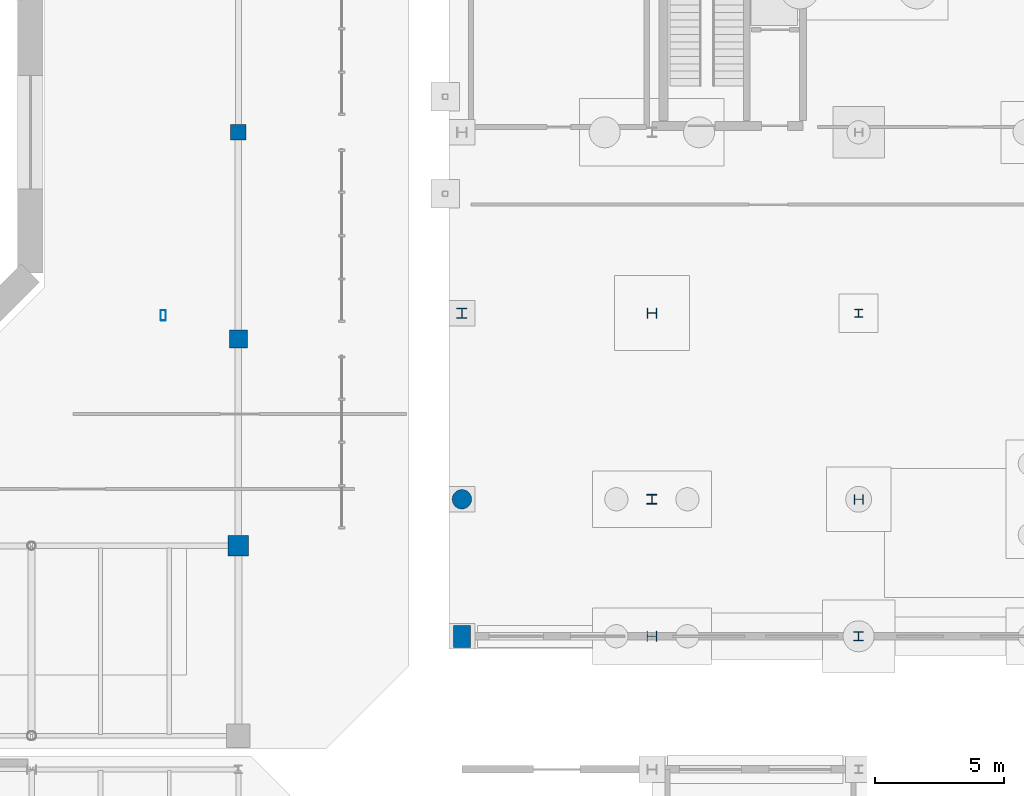
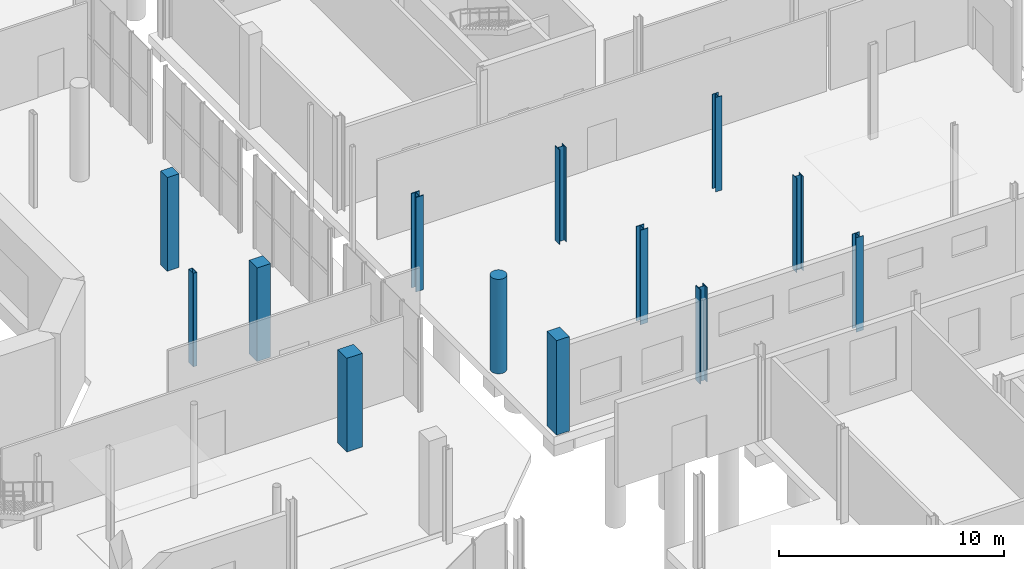
# One storey, part 16 of 87: 13 columns.
"""IFC4 building model written with IfcOpenShell, lengths in metres."""

from ifc_helpers import new_model, si_unit, direction, frame, origin, origin_2d, place, context, subcontext, project, spatial, rectangle, hollow_rectangle, circle, i_section, extrude, material, material_profile, profile_set, type_object, element, save


model = new_model("IFC4")

# Units and contexts
model_context = context("Model", 3, precision=1e-05, world=origin(), true_north=direction((0.0, 1.0)))
body_context = subcontext(model_context, "Body", "Model", "MODEL_VIEW")
ifc_project = project(units=[si_unit("LENGTHUNIT", "METRE"), si_unit("AREAUNIT", "SQUARE_METRE"), si_unit("VOLUMEUNIT", "CUBIC_METRE"), si_unit("PLANEANGLEUNIT", "RADIAN"), si_unit("MASSUNIT", "GRAM", prefix="KILO")], contexts=[model_context])

# Site, building, storey
site_placement = place(None, origin())
site = spatial("IfcSite", under=ifc_project, at=site_placement, CompositionType="ELEMENT")
building_placement = place(site_placement, origin())
building = spatial("IfcBuilding", under=site, at=building_placement, Name="Brisemont Oceanarium", CompositionType="ELEMENT")
storey_placement = place(building_placement, origin())
storey = spatial("IfcBuildingStorey", under=building, at=storey_placement, Name="L00", CompositionType="ELEMENT", Elevation=0.0)

# Columns
ifc_material_1 = material(Name="Structural Steel ASTM A500 Gr.C", Category="steel")
ifc_material_profile_1 = material_profile(ifc_material_1, hollow_rectangle(XDim=0.202880859375, YDim=0.406005859375, WallThickness=0.01171875, InnerFilletRadius=0.01220703125, OuterFilletRadius=0.02392578125, at=origin_2d()), Name="HSS16X8X1/2")
ifc_profile_set_1 = profile_set([ifc_material_profile_1], Name="Structural Steel ASTM A500 Gr.C")
column_type_1 = type_object("IfcColumnType", Name="COL-HSS16X8", PredefinedType="COLUMN", material=ifc_profile_set_1)
column_1_placement = place(storey_placement, frame((101.091796875, 48.92041015625, 0.0), z_axis=(0.0, 0.0, 1.0), x_axis=(1.0, 0.0, 0.0)))
element("IfcColumn", 1, at=column_1_placement, inside=storey, type_object=column_type_1, Name="V1 dome drum pier L00.8", PredefinedType="COLUMN", context=body_context, shape_type="SweptSolid", body=[
    extrude(hollow_rectangle(XDim=0.202880859375, YDim=0.406005859375, WallThickness=0.01171875, InnerFilletRadius=0.01220703125, OuterFilletRadius=0.02392578125, at=origin_2d()), origin(), (0.0, 0.0, 1.0), 5.06005859375),
])
ifc_material_2 = material(Name="Concrete C35/45", Category="concrete")
ifc_material_profile_2 = material_profile(ifc_material_2, rectangle(XDim=0.60009765625, YDim=0.60009765625, at=origin_2d()), Name="RC-COL-600X600")
ifc_profile_set_2 = profile_set([ifc_material_profile_2], Name="Concrete C35/45")
column_type_2 = type_object("IfcColumnType", Name="COL-RC600", PredefinedType="COLUMN", material=ifc_profile_set_2)
column_2_placement = place(storey_placement, frame((104.0, 56.0, 0.0), z_axis=(0.0, 0.0, 1.0), x_axis=(0.0, 1.0, 0.0)))
element("IfcColumn", 2, at=column_2_placement, inside=storey, type_object=column_type_2, Name="V1 L00 column (6,3)", PredefinedType="COLUMN", context=body_context, shape_type="SweptSolid", body=[
    extrude(rectangle(XDim=0.60009765625, YDim=0.60009765625, at=origin_2d()), origin(), (0.0, 0.0, 1.0), 5.080078125),
])
ifc_material_3 = material(Name="Concrete C35/45", Category="concrete")
ifc_material_profile_3 = material_profile(ifc_material_3, rectangle(XDim=0.699951171875, YDim=0.699951171875, at=origin_2d()), Name="RC-COL-700X700")
ifc_profile_set_3 = profile_set([ifc_material_profile_3], Name="Concrete C35/45")
column_type_3 = type_object("IfcColumnType", Name="COL-RC700", PredefinedType="COLUMN", material=ifc_profile_set_3)
column_3_placement = place(storey_placement, frame((104.0, 48.0, 0.0), z_axis=(0.0, 0.0, 1.0), x_axis=(1.0, 0.0, 0.0)))
element("IfcColumn", 3, at=column_3_placement, inside=storey, type_object=column_type_3, Name="V1 L00 column (6,2)", PredefinedType="COLUMN", context=body_context, shape_type="SweptSolid", body=[
    extrude(rectangle(XDim=0.699951171875, YDim=0.699951171875, at=origin_2d()), origin(), (0.0, 0.0, 1.0), 5.080078125),
])
ifc_material_4 = material(Name="Concrete C40/50", Category="concrete")
ifc_material_profile_4 = material_profile(ifc_material_4, rectangle(XDim=0.800048828125, YDim=0.800048828125, at=origin_2d()), Name="RC-COL-800X800")
ifc_profile_set_4 = profile_set([ifc_material_profile_4], Name="Concrete C40/50")
column_type_4 = type_object("IfcColumnType", Name="COL-RC800", PredefinedType="COLUMN", material=ifc_profile_set_4)
column_4_placement = place(storey_placement, frame((104.0, 40.0, 0.0), z_axis=(0.0, 0.0, 1.0), x_axis=(0.0, 1.0, 0.0)))
element("IfcColumn", 4, at=column_4_placement, inside=storey, type_object=column_type_4, Name="V1 L00 column (6,1)", PredefinedType="COLUMN", context=body_context, shape_type="SweptSolid", body=[
    extrude(rectangle(XDim=0.800048828125, YDim=0.800048828125, at=origin_2d()), origin(), (0.0, 0.0, 1.0), 5.080078125),
])
ifc_material_5 = material(Name="Concrete C40/50", Category="concrete")
ifc_material_profile_5 = material_profile(ifc_material_5, circle(Radius=0.375, at=origin_2d()), Name="RC-COL-D750")
ifc_profile_set_5 = profile_set([ifc_material_profile_5], Name="Concrete C40/50")
column_type_5 = type_object("IfcColumnType", Name="COL-RCD750", PredefinedType="COLUMN", material=ifc_profile_set_5)
column_5_placement = place(storey_placement, frame((112.64990234375, 41.800048828125, 0.0), z_axis=(0.0, 0.0, 1.0), x_axis=(0.0, 1.0, 0.0)))
element("IfcColumn", 5, at=column_5_placement, inside=storey, type_object=column_type_5, Name="V5E L00 column (0,1)", PredefinedType="COLUMN", context=body_context, shape_type="SweptSolid", body=[
    extrude(circle(Radius=0.375, at=origin_2d()), origin(), (0.0, 0.0, 1.0), 5.1201171875),
])
ifc_material_6 = material(Name="Structural Steel ASTM A992 Gr.50", Category="steel")
ifc_material_profile_6 = material_profile(ifc_material_6, i_section(OverallWidth=0.30810546875, OverallDepth=0.318115234375, WebThickness=0.01318359375, FlangeThickness=0.0205078125, FilletRadius=0.012939453125, at=origin_2d()), Name="W12X87")
ifc_profile_set_6 = profile_set([ifc_material_profile_6], Name="Structural Steel ASTM A992 Gr.50")
column_type_6 = type_object("IfcColumnType", Name="COL-W12X87", PredefinedType="COLUMN", material=ifc_profile_set_6)
column_6_placement = place(storey_placement, frame((128.0, 49.0, 0.0), z_axis=(0.0, 0.0, 1.0), x_axis=(1.0, 0.0, 0.0)))
element("IfcColumn", 6, at=column_6_placement, inside=storey, type_object=column_type_6, Name="V5E L00 column (2,2)", PredefinedType="COLUMN", context=body_context, shape_type="SweptSolid", body=[
    extrude(i_section(OverallWidth=0.30810546875, OverallDepth=0.318115234375, WebThickness=0.01318359375, FlangeThickness=0.0205078125, FilletRadius=0.012939453125, at=origin_2d()), origin(), (0.0, 0.0, 1.0), 5.1201171875),
])
ifc_material_7 = material(Name="Structural Steel ASTM A992 Gr.50", Category="steel")
ifc_material_profile_7 = material_profile(ifc_material_7, i_section(OverallWidth=0.39404296875, OverallDepth=0.3759765625, WebThickness=0.017333984375, FlangeThickness=0.027587890625, FilletRadius=0.014892578125, at=origin_2d()), Name="W14X145")
ifc_profile_set_7 = profile_set([ifc_material_profile_7], Name="Structural Steel ASTM A992 Gr.50")
column_type_7 = type_object("IfcColumnType", Name="COL-W14X145", PredefinedType="COLUMN", material=ifc_profile_set_7)
column_7_placement = place(storey_placement, frame((120.0, 49.0, 0.0), z_axis=(0.0, 0.0, 1.0), x_axis=(0.0, 1.0, 0.0)))
element("IfcColumn", 7, at=column_7_placement, inside=storey, type_object=column_type_7, Name="V5E L00 column (1,2)", PredefinedType="COLUMN", context=body_context, shape_type="SweptSolid", body=[
    extrude(i_section(OverallWidth=0.39404296875, OverallDepth=0.3759765625, WebThickness=0.017333984375, FlangeThickness=0.027587890625, FilletRadius=0.014892578125, at=origin_2d()), origin(), (0.0, 0.0, 1.0), 5.1201171875),
])
ifc_material_8 = material(Name="Structural Steel ASTM A992 Gr.50", Category="steel")
ifc_material_profile_8 = material_profile(ifc_material_8, i_section(OverallWidth=0.39501953125, OverallDepth=0.3798828125, WebThickness=0.018798828125, FlangeThickness=0.0302734375, FilletRadius=0.014892578125, at=origin_2d()), Name="W14X159")
ifc_profile_set_8 = profile_set([ifc_material_profile_8], Name="Structural Steel ASTM A992 Gr.50")
column_type_8 = type_object("IfcColumnType", Name="COL-W14X159", PredefinedType="COLUMN", material=ifc_profile_set_8)
column_8_placement = place(storey_placement, frame((120.0, 41.800048828125, 0.0), z_axis=(0.0, 0.0, 1.0), x_axis=(1.0, 0.0, 0.0)))
element("IfcColumn", 8, at=column_8_placement, inside=storey, type_object=column_type_8, Name="V5E L00 column (1,1)", PredefinedType="COLUMN", context=body_context, shape_type="SweptSolid", body=[
    extrude(i_section(OverallWidth=0.39501953125, OverallDepth=0.3798828125, WebThickness=0.018798828125, FlangeThickness=0.0302734375, FilletRadius=0.014892578125, at=origin_2d()), origin(), (0.0, 0.0, 1.0), 5.1201171875),
])
ifc_material_9 = material(Name="Structural Steel ASTM A992 Gr.50", Category="steel")
ifc_material_profile_9 = material_profile(ifc_material_9, i_section(OverallWidth=0.39892578125, OverallDepth=0.385986328125, WebThickness=0.02099609375, FlangeThickness=0.033203125, FilletRadius=0.014892578125, at=origin_2d()), Name="W14X176")
ifc_profile_set_9 = profile_set([ifc_material_profile_9], Name="Structural Steel ASTM A992 Gr.50")
column_type_9 = type_object("IfcColumnType", Name="COL-W14X176", PredefinedType="COLUMN", material=ifc_profile_set_9)
column_9_placement = place(storey_placement, frame((120.0, 36.5, 0.0), z_axis=(0.0, 0.0, 1.0), x_axis=(0.0, 1.0, 0.0)))
element("IfcColumn", 9, at=column_9_placement, inside=storey, type_object=column_type_9, Name="V5E L00 column (1,0)", PredefinedType="COLUMN", context=body_context, shape_type="SweptSolid", body=[
    extrude(i_section(OverallWidth=0.39892578125, OverallDepth=0.385986328125, WebThickness=0.02099609375, FlangeThickness=0.033203125, FilletRadius=0.014892578125, at=origin_2d()), origin(), (0.0, 0.0, 1.0), 5.1201171875),
])
ifc_material_10 = material(Name="Structural Steel ASTM A992 Gr.50", Category="steel")
ifc_material_profile_10 = material_profile(ifc_material_10, i_section(OverallWidth=0.406005859375, OverallDepth=0.416015625, WebThickness=0.02978515625, FlangeThickness=0.048095703125, FilletRadius=0.014892578125, at=origin_2d()), Name="W14X257")
ifc_profile_set_10 = profile_set([ifc_material_profile_10], Name="Structural Steel ASTM A992 Gr.50")
column_type_10 = type_object("IfcColumnType", Name="COL-W14X257", PredefinedType="COLUMN", material=ifc_profile_set_10)
column_10_placement = place(storey_placement, frame((112.64990234375, 49.0, 0.0), z_axis=(0.0, 0.0, 1.0), x_axis=(1.0, 0.0, 0.0)))
element("IfcColumn", 10, at=column_10_placement, inside=storey, type_object=column_type_10, Name="V5E L00 column (0,2)", PredefinedType="COLUMN", context=body_context, shape_type="SweptSolid", body=[
    extrude(i_section(OverallWidth=0.406005859375, OverallDepth=0.416015625, WebThickness=0.02978515625, FlangeThickness=0.048095703125, FilletRadius=0.014892578125, at=origin_2d()), origin(), (0.0, 0.0, 1.0), 5.1201171875),
])
ifc_material_11 = material(Name="Structural Steel ASTM A992 Gr.50", Category="steel")
ifc_material_profile_11 = material_profile(ifc_material_11, i_section(OverallWidth=0.367919921875, OverallDepth=0.35595703125, WebThickness=0.01123046875, FlangeThickness=0.01806640625, FilletRadius=0.014892578125, at=origin_2d()), Name="W14X90")
ifc_profile_set_11 = profile_set([ifc_material_profile_11], Name="Structural Steel ASTM A992 Gr.50")
column_type_11 = type_object("IfcColumnType", Name="COL-W14X90", PredefinedType="COLUMN", material=ifc_profile_set_11)
column_11_placement = place(storey_placement, frame((128.0, 41.800048828125, 0.0), z_axis=(0.0, 0.0, 1.0), x_axis=(0.0, 1.0, 0.0)))
element("IfcColumn", 11, at=column_11_placement, inside=storey, type_object=column_type_11, Name="V5E L00 column (2,1)", PredefinedType="COLUMN", context=body_context, shape_type="SweptSolid", body=[
    extrude(i_section(OverallWidth=0.367919921875, OverallDepth=0.35595703125, WebThickness=0.01123046875, FlangeThickness=0.01806640625, FilletRadius=0.014892578125, at=origin_2d()), origin(), (0.0, 0.0, 1.0), 5.1201171875),
])
ifc_material_12 = material(Name="Structural Steel ASTM A992 Gr.50", Category="steel")
ifc_material_profile_12 = material_profile(ifc_material_12, i_section(OverallWidth=0.37109375, OverallDepth=0.361083984375, WebThickness=0.01220703125, FlangeThickness=0.019775390625, FilletRadius=0.014892578125, at=origin_2d()), Name="W14X99")
ifc_profile_set_12 = profile_set([ifc_material_profile_12], Name="Structural Steel ASTM A992 Gr.50")
column_type_12 = type_object("IfcColumnType", Name="COL-W14X99", PredefinedType="COLUMN", material=ifc_profile_set_12)
column_12_placement = place(storey_placement, frame((128.0, 36.5, 0.0), z_axis=(0.0, 0.0, 1.0), x_axis=(1.0, 0.0, 0.0)))
element("IfcColumn", 12, at=column_12_placement, inside=storey, type_object=column_type_12, Name="V5E L00 column (2,0)", PredefinedType="COLUMN", context=body_context, shape_type="SweptSolid", body=[
    extrude(i_section(OverallWidth=0.37109375, OverallDepth=0.361083984375, WebThickness=0.01220703125, FlangeThickness=0.019775390625, FilletRadius=0.014892578125, at=origin_2d()), origin(), (0.0, 0.0, 1.0), 5.1201171875),
])
ifc_material_13 = material(Name="Precast Concrete C40/50", Category="concrete")
ifc_material_profile_13 = material_profile(ifc_material_13, rectangle(XDim=0.64990234375, YDim=0.85009765625, at=origin_2d()), Name="RC-PIL-650X850")
ifc_profile_set_13 = profile_set([ifc_material_profile_13], Name="Precast Concrete C40/50")
column_type_13 = type_object("IfcColumnType", Name="PIL-RC650X850", PredefinedType="PILASTER", material=ifc_profile_set_13)
column_13_placement = place(storey_placement, frame((112.64990234375, 36.5, 0.0), z_axis=(0.0, 0.0, 1.0), x_axis=(1.0, 0.0, 0.0)))
element("IfcColumn", 13, at=column_13_placement, inside=storey, type_object=column_type_13, Name="V5E L00 column (0,0)", PredefinedType="PILASTER", context=body_context, shape_type="SweptSolid", body=[
    extrude(rectangle(XDim=0.64990234375, YDim=0.85009765625, at=origin_2d()), origin(), (0.0, 0.0, 1.0), 5.1201171875),
])

save(model, "model.ifc")
